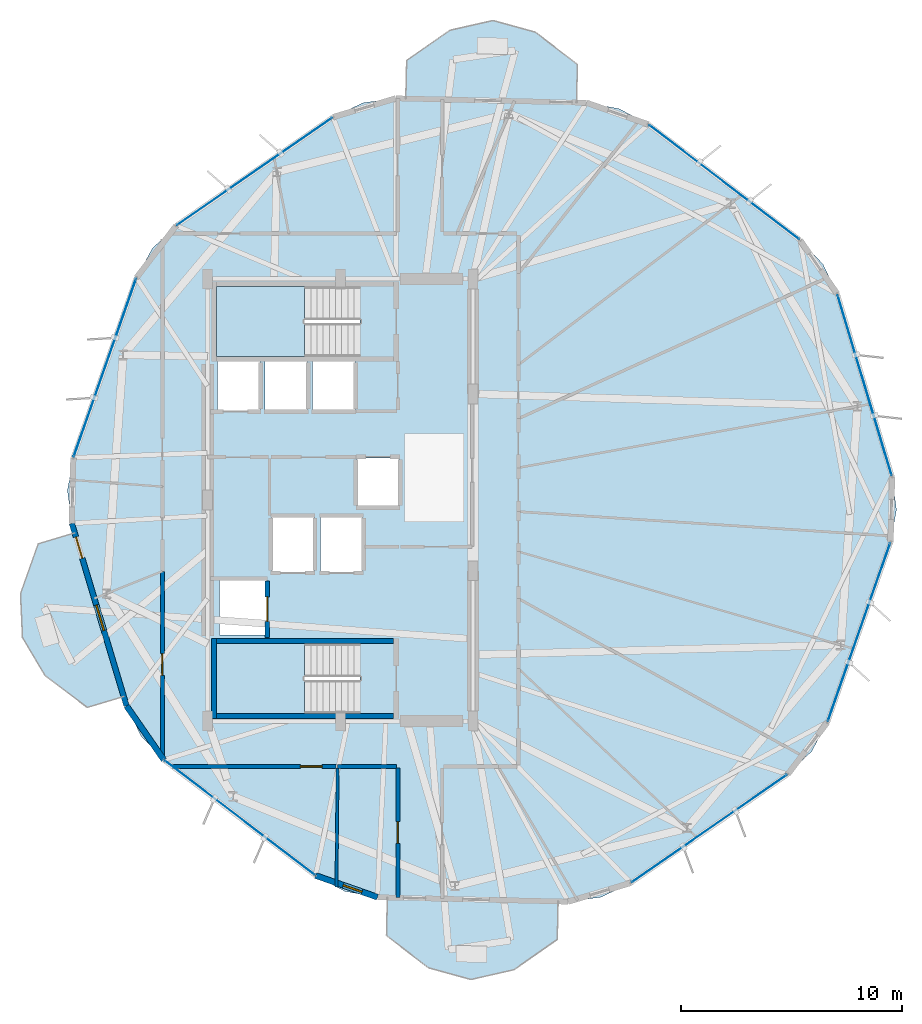
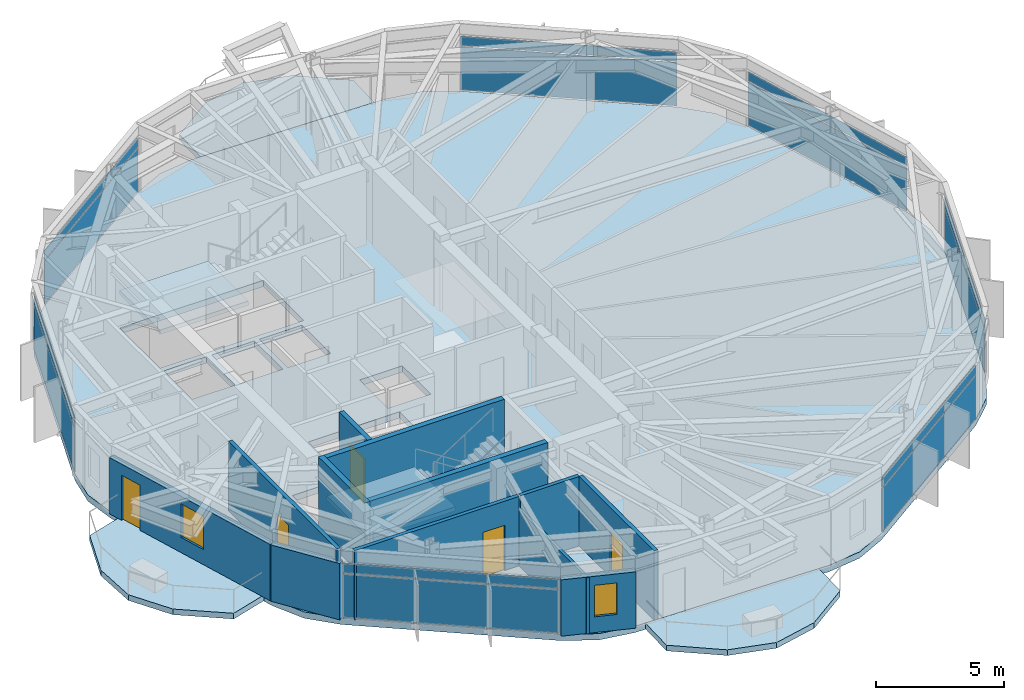
# One storey, part 15 of 22: 14 plates, 12 walls, 6 slabs, 5 doors, 2 windows, 7 openings, 9 elements without a shape of their own.
"""IFC4 building model written with IfcOpenShell, lengths in metres."""

from ifc_helpers import new_model, si_unit, direction, frame, frame_2d, origin, origin_2d, place, context, subcontext, project, spatial, polyline, rectangle, outline, extrude, material, layer, layer_set, type_object, element, fill, aggregate, save


model = new_model("IFC4")

# Units and contexts
model_context = context("Model", 3, precision=1e-05, world=origin(), true_north=direction((0.0, 1.0)))
body_context = subcontext(model_context, "Body", "Model", "MODEL_VIEW")
ifc_project = project(units=[si_unit("LENGTHUNIT", "METRE"), si_unit("AREAUNIT", "SQUARE_METRE"), si_unit("VOLUMEUNIT", "CUBIC_METRE"), si_unit("PLANEANGLEUNIT", "RADIAN"), si_unit("MASSUNIT", "GRAM", prefix="KILO")], contexts=[model_context])

# Site, building, storey
site_placement = place(None, origin())
site = spatial("IfcSite", under=ifc_project, at=site_placement, CompositionType="ELEMENT")
building_placement = place(site_placement, origin())
building = spatial("IfcBuilding", under=site, at=building_placement, Name="Soratama Intermodal Tower", CompositionType="ELEMENT")
storey_placement = place(building_placement, frame((0.0, 0.0, 160.60009765625)))
storey = spatial("IfcBuildingStorey", under=building, at=storey_placement, Name="L39", CompositionType="ELEMENT", Elevation=160.60009765625)

# Curtain wall, plates
ifc_material_1 = material(Name="Double-glazed aluminium curtain wall", Category="aluminium")
ifc_layer_1 = layer(ifc_material_1, 0.159912109375)
ifc_layer_set_1 = layer_set([ifc_layer_1], Name="Double-glazed aluminium curtain wall")
curtain_wall_type = type_object("IfcCurtainWallType", Name="CW-SYS-4", PredefinedType="NOTDEFINED", material=ifc_layer_set_1)
curtain_wall_1_placement = place(storey_placement, origin())
curtain_wall_1 = element("IfcCurtainWall", 1, at=curtain_wall_1_placement, inside=storey, type_object=curtain_wall_type, Name="L39 Faceted Curtain Wall F01", PredefinedType="NOTDEFINED")
ifc_material_2 = material(Name="Low-E laminated double glazing", Category="glass")
ifc_layer_2 = layer(ifc_material_2, 0.02392578125)
ifc_layer_set_2 = layer_set([ifc_layer_2], Name="Low-E laminated double glazing")
plate_type = type_object("IfcPlateType", Name="PT-CWP-4", PredefinedType="CURTAIN_PANEL", material=ifc_layer_set_2)
plate_1_placement = place(storey_placement, frame((55.95361328125, 39.3681640625, 0.059814453125), z_axis=(0.0, 0.0, 1.0), x_axis=(-0.795259686379, 0.606268942979, 0.0)))
plate_1 = element("IfcPlate", 2, at=plate_1_placement, type_object=plate_type, Name="CW-4 panel 1.1", PredefinedType="CURTAIN_PANEL", context=body_context, shape_type="SweptSolid", body=[
    extrude(rectangle(XDim=8.50146484375, YDim=0.028076171875, at=origin_2d()), origin(), (0.0, 0.0, 1.0), 2.06005859375),
])
plate_2_placement = place(storey_placement, frame((55.95361328125, 39.3681640625, 2.179931640625), z_axis=(0.0, 0.0, 1.0), x_axis=(-0.795259686379, 0.606268942979, 0.0)))
plate_2 = element("IfcPlate", 3, at=plate_2_placement, type_object=plate_type, Name="CW-4 panel 1.2", PredefinedType="CURTAIN_PANEL", context=body_context, shape_type="SweptSolid", body=[
    extrude(rectangle(XDim=8.50146484375, YDim=0.028076171875, at=origin_2d()), origin(), (0.0, 0.0, 1.0), 0.43896484375),
])
aggregate(curtain_wall_1, [plate_1, plate_2])

curtain_wall_2_placement = place(storey_placement, origin())
curtain_wall_2 = element("IfcCurtainWall", 4, at=curtain_wall_2_placement, inside=storey, type_object=curtain_wall_type, Name="L39 Faceted Curtain Wall F03", PredefinedType="NOTDEFINED")
plate_3_placement = place(storey_placement, frame((34.719970703125, 39.857421875, 0.059814453125), z_axis=(0.0, 0.0, 1.0), x_axis=(-0.822343735689, -0.568991019589, 0.0)))
plate_3 = element("IfcPlate", 5, at=plate_3_placement, type_object=plate_type, Name="CW-4 panel 1.1", PredefinedType="CURTAIN_PANEL", context=body_context, shape_type="SweptSolid", body=[
    extrude(rectangle(XDim=8.50146484375, YDim=0.028076171875, at=origin_2d()), origin(), (0.0, 0.0, 1.0), 2.06005859375),
])
plate_4_placement = place(storey_placement, frame((34.719970703125, 39.857421875, 2.179931640625), z_axis=(0.0, 0.0, 1.0), x_axis=(-0.822343735689, -0.568991019589, 0.0)))
plate_4 = element("IfcPlate", 6, at=plate_4_placement, type_object=plate_type, Name="CW-4 panel 1.2", PredefinedType="CURTAIN_PANEL", context=body_context, shape_type="SweptSolid", body=[
    extrude(rectangle(XDim=8.50146484375, YDim=0.028076171875, at=origin_2d()), origin(), (0.0, 0.0, 1.0), 0.43896484375),
])
aggregate(curtain_wall_2, [plate_3, plate_4])

curtain_wall_3_placement = place(storey_placement, origin())
curtain_wall_3 = element("IfcCurtainWall", 7, at=curtain_wall_3_placement, inside=storey, type_object=curtain_wall_type, Name="L39 Faceted Curtain Wall F04", PredefinedType="NOTDEFINED")
plate_5_placement = place(storey_placement, frame((27.9501953125, 30.977294921875, 0.059814453125), z_axis=(0.0, 0.0, 1.0), x_axis=(-0.330846366721, -0.943684630386, 0.0)))
plate_5 = element("IfcPlate", 8, at=plate_5_placement, type_object=plate_type, Name="CW-4 panel 1.1", PredefinedType="CURTAIN_PANEL", context=body_context, shape_type="SweptSolid", body=[
    extrude(rectangle(XDim=8.50146484375, YDim=0.028076171875, at=origin_2d()), origin(), (0.0, 0.0, 1.0), 2.06005859375),
])
plate_6_placement = place(storey_placement, frame((27.9501953125, 30.977294921875, 2.179931640625), z_axis=(0.0, 0.0, 1.0), x_axis=(-0.330846366721, -0.943684630386, 0.0)))
plate_6 = element("IfcPlate", 9, at=plate_6_placement, type_object=plate_type, Name="CW-4 panel 1.2", PredefinedType="CURTAIN_PANEL", context=body_context, shape_type="SweptSolid", body=[
    extrude(rectangle(XDim=8.50146484375, YDim=0.028076171875, at=origin_2d()), origin(), (0.0, 0.0, 1.0), 0.43896484375),
])
aggregate(curtain_wall_3, [plate_5, plate_6])

curtain_wall_4_placement = place(storey_placement, origin())
curtain_wall_4 = element("IfcCurtainWall", 10, at=curtain_wall_4_placement, inside=storey, type_object=curtain_wall_type, Name="L39 Faceted Curtain Wall F06", PredefinedType="NOTDEFINED")
plate_7_placement = place(storey_placement, frame((34.04638671875, 10.6318359375, 0.059814453125), z_axis=(0.0, 0.0, 1.0), x_axis=(0.795259686379, -0.606268942979, 0.0)))
plate_7 = element("IfcPlate", 11, at=plate_7_placement, type_object=plate_type, Name="CW-4 panel 1.1", PredefinedType="CURTAIN_PANEL", context=body_context, shape_type="SweptSolid", body=[
    extrude(rectangle(XDim=8.50146484375, YDim=0.028076171875, at=origin_2d()), origin(), (0.0, 0.0, 1.0), 2.06005859375),
])
plate_8_placement = place(storey_placement, frame((34.04638671875, 10.6318359375, 2.179931640625), z_axis=(0.0, 0.0, 1.0), x_axis=(0.795259686379, -0.606268942979, 0.0)))
plate_8 = element("IfcPlate", 12, at=plate_8_placement, type_object=plate_type, Name="CW-4 panel 1.2", PredefinedType="CURTAIN_PANEL", context=body_context, shape_type="SweptSolid", body=[
    extrude(rectangle(XDim=8.50146484375, YDim=0.028076171875, at=origin_2d()), origin(), (0.0, 0.0, 1.0), 0.43896484375),
])
aggregate(curtain_wall_4, [plate_7, plate_8])

curtain_wall_5_placement = place(storey_placement, origin())
curtain_wall_5 = element("IfcCurtainWall", 13, at=curtain_wall_5_placement, inside=storey, type_object=curtain_wall_type, Name="L39 Faceted Curtain Wall F08", PredefinedType="NOTDEFINED")
plate_9_placement = place(storey_placement, frame((55.280029296875, 10.142578125, 0.059814453125), z_axis=(0.0, 0.0, 1.0), x_axis=(0.822343735689, 0.568991019589, 0.0)))
plate_9 = element("IfcPlate", 14, at=plate_9_placement, type_object=plate_type, Name="CW-4 panel 1.1", PredefinedType="CURTAIN_PANEL", context=body_context, shape_type="SweptSolid", body=[
    extrude(rectangle(XDim=8.50146484375, YDim=0.028076171875, at=origin_2d()), origin(), (0.0, 0.0, 1.0), 2.06005859375),
])
plate_10_placement = place(storey_placement, frame((55.280029296875, 10.142578125, 2.179931640625), z_axis=(0.0, 0.0, 1.0), x_axis=(0.822343735689, 0.568991019589, 0.0)))
plate_10 = element("IfcPlate", 15, at=plate_10_placement, type_object=plate_type, Name="CW-4 panel 1.2", PredefinedType="CURTAIN_PANEL", context=body_context, shape_type="SweptSolid", body=[
    extrude(rectangle(XDim=8.50146484375, YDim=0.028076171875, at=origin_2d()), origin(), (0.0, 0.0, 1.0), 0.43896484375),
])
aggregate(curtain_wall_5, [plate_9, plate_10])

curtain_wall_6_placement = place(storey_placement, origin())
curtain_wall_6 = element("IfcCurtainWall", 16, at=curtain_wall_6_placement, inside=storey, type_object=curtain_wall_type, Name="L39 Faceted Curtain Wall F09", PredefinedType="NOTDEFINED")
plate_11_placement = place(storey_placement, frame((62.0498046875, 19.022705078125, 0.059814453125), z_axis=(0.0, 0.0, 1.0), x_axis=(0.330846366721, 0.943684630386, 0.0)))
plate_11 = element("IfcPlate", 17, at=plate_11_placement, type_object=plate_type, Name="CW-4 panel 1.1", PredefinedType="CURTAIN_PANEL", context=body_context, shape_type="SweptSolid", body=[
    extrude(rectangle(XDim=8.50146484375, YDim=0.028076171875, at=origin_2d()), origin(), (0.0, 0.0, 1.0), 2.06005859375),
])
plate_12_placement = place(storey_placement, frame((62.0498046875, 19.022705078125, 2.179931640625), z_axis=(0.0, 0.0, 1.0), x_axis=(0.330846366721, 0.943684630386, 0.0)))
plate_12 = element("IfcPlate", 18, at=plate_12_placement, type_object=plate_type, Name="CW-4 panel 1.2", PredefinedType="CURTAIN_PANEL", context=body_context, shape_type="SweptSolid", body=[
    extrude(rectangle(XDim=8.50146484375, YDim=0.028076171875, at=origin_2d()), origin(), (0.0, 0.0, 1.0), 0.43896484375),
])
aggregate(curtain_wall_6, [plate_11, plate_12])

curtain_wall_7_placement = place(storey_placement, origin())
curtain_wall_7 = element("IfcCurtainWall", 19, at=curtain_wall_7_placement, inside=storey, type_object=curtain_wall_type, Name="L39 Faceted Curtain Wall F10", PredefinedType="NOTDEFINED")
plate_13_placement = place(storey_placement, frame((62.306884765625, 30.185791015625, 0.059814453125), z_axis=(0.0, 0.0, 1.0), x_axis=(-0.287027568278, 0.957922322033, 0.0)))
plate_13 = element("IfcPlate", 20, at=plate_13_placement, type_object=plate_type, Name="CW-4 panel 1.1", PredefinedType="CURTAIN_PANEL", context=body_context, shape_type="SweptSolid", body=[
    extrude(rectangle(XDim=8.50146484375, YDim=0.028076171875, at=origin_2d()), origin(), (0.0, 0.0, 1.0), 2.06005859375),
])
plate_14_placement = place(storey_placement, frame((62.306884765625, 30.185791015625, 2.179931640625), z_axis=(0.0, 0.0, 1.0), x_axis=(-0.287027568278, 0.957922322033, 0.0)))
plate_14 = element("IfcPlate", 21, at=plate_14_placement, type_object=plate_type, Name="CW-4 panel 1.2", PredefinedType="CURTAIN_PANEL", context=body_context, shape_type="SweptSolid", body=[
    extrude(rectangle(XDim=8.50146484375, YDim=0.028076171875, at=origin_2d()), origin(), (0.0, 0.0, 1.0), 0.43896484375),
])
aggregate(curtain_wall_7, [plate_13, plate_14])

# Slabs
ifc_material_3 = material(Name="Concrete f'c 42 MPa", Category="concrete")
ifc_layer_3 = layer(ifc_material_3, 0.27001953125)
ifc_layer_set_3 = layer_set([ifc_layer_3], Name="Concrete f'c 42 MPa")
slab_type_1 = type_object("IfcSlabType", Name="SL-EXT-BAL1", PredefinedType="FLOOR", material=ifc_layer_set_3)
slab_1_placement = place(storey_placement, frame((0.0, 0.0, -0.27001953125)))
element("IfcSlab", 22, at=slab_1_placement, inside=storey, type_object=slab_type_1, Name="L39 Planted Balcony North 1", PredefinedType="FLOOR", context=body_context, shape_type="SweptSolid", body=[
    extrude(outline(polyline([(49.27587890625, 42.973388671875), (41.556396484375, 43.151123046875), (41.59619140625, 44.870849609375), (43.55859375, 46.2412109375), (45.49951171875, 46.681396484375), (47.418212890625, 46.152099609375), (49.3154296875, 44.69287109375), (49.27587890625, 42.973388671875)])), origin(), (0.0, 0.0, 1.0), 0.27001953125),
])
slab_2_placement = place(storey_placement, frame((0.0, 0.0, -0.27001953125)))
element("IfcSlab", 23, at=slab_2_placement, inside=storey, type_object=slab_type_1, Name="L39 Planted Balcony West 2", PredefinedType="FLOOR", context=body_context, shape_type="SweptSolid", body=[
    extrude(outline(polyline([(26.5849609375, 23.512451171875), (28.80126953125, 16.115966796875), (27.153564453125, 15.622314453125), (25.243896484375, 17.065185546875), (24.225341796875, 18.775146484375), (24.1357421875, 20.763427734375), (24.937255859375, 23.018798828125), (26.5849609375, 23.512451171875)])), origin(), (0.0, 0.0, 1.0), 0.27001953125),
])
slab_3_placement = place(storey_placement, frame((0.0, 0.0, -0.27001953125)))
element("IfcSlab", 24, at=slab_3_placement, inside=storey, type_object=slab_type_1, Name="L39 Planted Balcony South 3", PredefinedType="FLOOR", context=body_context, shape_type="SweptSolid", body=[
    extrude(outline(polyline([(40.72412109375, 7.026611328125), (48.443603515625, 6.848876953125), (48.40380859375, 5.129150390625), (46.44140625, 3.7587890625), (44.50048828125, 3.318603515625), (42.581787109375, 3.847900390625), (40.6845703125, 5.30712890625), (40.72412109375, 7.026611328125)])), origin(), (0.0, 0.0, 1.0), 0.27001953125),
])

# Stair, slab
ifc_material_4 = material(Name="Concrete f'c 42 MPa", Category="concrete")
stair_type = type_object("IfcStairType", Name="ST-CORE-DOGLEG", PredefinedType="HALF_TURN_STAIR", material=ifc_material_4)
stair_1_placement = place(storey_placement, origin())
stair_1 = element("IfcStair", 25, at=stair_1_placement, inside=storey, type_object=stair_type, Name="L39 ST-1", PredefinedType="HALF_TURN_STAIR")
ifc_material_5 = material(Name="Concrete f'c 42 MPa", Category="concrete")
ifc_layer_4 = layer(ifc_material_5, 0.219970703125)
ifc_layer_set_4 = layer_set([ifc_layer_4], Name="Concrete f'c 42 MPa")
slab_type_2 = type_object("IfcSlabType", Name="SL-STAIR-LAND", PredefinedType="LANDING", material=ifc_layer_set_4)
slab_4_placement = place(storey_placement, frame((0.0, 0.0, 1.599853515625)))
slab_4 = element("IfcSlab", 26, at=slab_4_placement, type_object=slab_type_2, Name="ST-1 landing 1", PredefinedType="LANDING", context=body_context, shape_type="SweptSolid", body=[
    extrude(outline(polyline([(36.97998046875, 18.5), (33.0, 18.5), (33.0, 15.35009765625), (36.97998046875, 15.35009765625), (36.97998046875, 18.5)])), origin(), (0.0, 0.0, 1.0), 0.199951171875),
])
aggregate(stair_1, [slab_4])

stair_2_placement = place(storey_placement, origin())
stair_2 = element("IfcStair", 27, at=stair_2_placement, inside=storey, type_object=stair_type, Name="L39 ST-2", PredefinedType="HALF_TURN_STAIR")
slab_5_placement = place(storey_placement, frame((0.0, 0.0, 1.599853515625)))
slab_5 = element("IfcSlab", 28, at=slab_5_placement, type_object=slab_type_2, Name="ST-2 landing 1", PredefinedType="LANDING", context=body_context, shape_type="SweptSolid", body=[
    extrude(outline(polyline([(36.97998046875, 34.64990234375), (33.0, 34.64990234375), (33.0, 31.5), (36.97998046875, 31.5), (36.97998046875, 34.64990234375)])), origin(), (0.0, 0.0, 1.0), 0.199951171875),
])
aggregate(stair_2, [slab_5])

# Slab
ifc_material_6 = material(Name="Concrete f'c 42 MPa", Category="concrete")
ifc_layer_5 = layer(ifc_material_6, 0.280029296875)
ifc_layer_set_5 = layer_set([ifc_layer_5], Name="Concrete f'c 42 MPa")
slab_type_3 = type_object("IfcSlabType", Name="SL-TWR-280", PredefinedType="FLOOR", material=ifc_layer_set_5)
slab_6_placement = place(storey_placement, frame((0.0, 0.0, -0.300048828125)))
element("IfcSlab", 29, at=slab_6_placement, inside=storey, type_object=slab_type_3, Name="L39 Structural Floor Slab", PredefinedType="FLOOR", context=body_context, shape_type="SweptSolid", body=[
    extrude(outline(polyline([(61.069580078125, 34.315185546875), (60.418701171875, 35.66845703125), (59.381591796875, 36.754638671875), (52.525390625, 41.981689453125), (51.203369140625, 42.694091796875), (49.725830078125, 42.962890625), (41.106689453125, 43.16162109375), (39.618408203125, 42.9609375), (38.264892578125, 42.310302734375), (31.175048828125, 37.404541015625), (30.0888671875, 36.367431640625), (29.37646484375, 35.04541015625), (26.524169921875, 26.909423828125), (26.255126953125, 25.431884765625), (26.455810546875, 23.943603515625), (28.930419921875, 15.684814453125), (29.581298828125, 14.33154296875), (30.618408203125, 13.245361328125), (37.474609375, 8.018310546875), (38.796630859375, 7.305908203125), (40.274169921875, 7.037109375), (48.893310546875, 6.83837890625), (50.381591796875, 7.0390625), (51.735107421875, 7.689697265625), (58.824951171875, 12.595458984375), (59.9111328125, 13.632568359375), (60.62353515625, 14.95458984375), (63.475830078125, 23.090576171875), (63.744873046875, 24.568115234375), (63.544189453125, 26.056396484375), (61.069580078125, 34.315185546875)]), holes=[polyline([(33.0, 18.5), (33.0, 15.35009765625), (39.47509765625, 15.35009765625), (39.47509765625, 18.5), (33.0, 18.5)]), polyline([(35.260009765625, 21.409912109375), (33.139892578125, 21.409912109375), (33.139892578125, 18.889892578125), (35.260009765625, 18.889892578125), (35.260009765625, 21.409912109375)]), polyline([(37.409912109375, 24.260009765625), (35.489990234375, 24.260009765625), (35.489990234375, 21.739990234375), (37.409912109375, 21.739990234375), (37.409912109375, 24.260009765625)]), polyline([(39.610107421875, 24.260009765625), (37.68994140625, 24.260009765625), (37.68994140625, 21.739990234375), (39.610107421875, 21.739990234375), (39.610107421875, 24.260009765625)]), polyline([(41.260009765625, 26.909912109375), (39.340087890625, 26.909912109375), (39.340087890625, 24.68994140625), (41.260009765625, 24.68994140625), (41.260009765625, 26.909912109375)]), polyline([(34.9599609375, 31.260009765625), (33.0400390625, 31.260009765625), (33.0400390625, 29.0400390625), (34.9599609375, 29.0400390625), (34.9599609375, 31.260009765625)]), polyline([(37.110107421875, 31.260009765625), (35.18994140625, 31.260009765625), (35.18994140625, 29.0400390625), (37.110107421875, 29.0400390625), (37.110107421875, 31.260009765625)]), polyline([(39.260009765625, 29.0400390625), (39.260009765625, 31.260009765625), (37.340087890625, 31.260009765625), (37.340087890625, 29.0400390625), (39.260009765625, 29.0400390625)]), polyline([(39.47509765625, 34.64990234375), (33.0, 34.64990234375), (33.0, 31.5), (39.47509765625, 31.5), (39.47509765625, 34.64990234375)])]), origin(), (0.0, 0.0, 1.0), 0.300048828125),
])

# Wall, openings, door, window
ifc_material_7 = material(Name="Concrete f'c 42 MPa", Category="concrete")
ifc_layer_6 = layer(ifc_material_7, 0.25)
ifc_layer_set_6 = layer_set([ifc_layer_6], Name="Concrete f'c 42 MPa")
wall_type_1 = type_object("IfcWallType", Name="EW-BAL-250", PredefinedType="SOLIDWALL", material=ifc_layer_set_6)
wall_1_placement = place(storey_placement, frame((26.455810546875, 23.943603515625, 0.0), z_axis=(0.0, 0.0, 1.0), x_axis=(0.287025725788, -0.957922874106, 0.0)))
wall_1 = element("IfcWall", 30, at=wall_1_placement, inside=storey, type_object=wall_type_1, Name="L39 Terrace Wall F05", PredefinedType="SOLIDWALL", context=body_context, shape_type="SweptSolid", body=[
    extrude(rectangle(XDim=8.62158203125, YDim=0.25, at=frame_2d((4.310791015625, 0.0))), origin(), (0.0, 0.0, 1.0), 2.678955078125),
])
opening_1_placement = place(wall_1_placement, frame((0.64990234375, 0.0, 0.0)))
opening_1 = element("IfcOpeningElement", 31, at=opening_1_placement, cuts=wall_1, Name="Opening ED-2", PredefinedType="OPENING", context=body_context, shape_type="SweptSolid", body=[
    extrude(rectangle(XDim=1.0, YDim=2.14990234375, at=frame_2d((0.5, 1.074951171875))), frame((0.0, 0.135009765625, 0.0), z_axis=(0.0, -1.0, 0.0), x_axis=(1.0, 0.0, 0.0)), (0.0, 0.0, 1.0), 0.27001953125),
])
opening_2_placement = place(wall_1_placement, frame((3.853759765625, 0.0, 0.719970703125)))
opening_2 = element("IfcOpeningElement", 32, at=opening_2_placement, cuts=wall_1, Name="Opening WN-2", PredefinedType="OPENING", context=body_context, shape_type="SweptSolid", body=[
    extrude(rectangle(XDim=1.199951171875, YDim=1.60009765625, at=frame_2d((0.60009765625, 0.800048828125))), frame((0.0, 0.135009765625, 0.0), z_axis=(0.0, -1.0, 0.0), x_axis=(1.0, 0.0, 0.0)), (0.0, 0.0, 1.0), 0.27001953125),
])
ifc_material_8 = material(Name="Double-glazed aluminium door", Category="aluminium")
door_type_1 = type_object("IfcDoorType", Name="DR-BAL-1000", OperationType="NOTDEFINED", PredefinedType="DOOR", material=ifc_material_8)
door_1_placement = place(opening_1_placement, origin())
door_1 = element("IfcDoor", 33, at=door_1_placement, inside=storey, type_object=door_type_1, Name="L39 Balcony Door F05", OperationType="SINGLE_SWING_LEFT", OverallHeight=2.14990234375, OverallWidth=1.0, PredefinedType="DOOR", context=body_context, shape_type="SweptSolid", body=[
    extrude(rectangle(XDim=1.0, YDim=2.14990234375, at=frame_2d((0.5, 1.074951171875))), frame((0.0, 0.02490234375, 0.0), z_axis=(0.0, -1.0, 0.0), x_axis=(1.0, 0.0, 0.0)), (0.0, 0.0, 1.0), 0.050048828125),
])
fill(opening_1, door_1)
ifc_material_9 = material(Name="Double-glazed aluminium window", Category="aluminium")
window_type_1 = type_object("IfcWindowType", Name="WN-FAC-1200", PartitioningType="SINGLE_PANEL", PredefinedType="WINDOW", material=ifc_material_9)
window_1_placement = place(opening_2_placement, origin())
window_1 = element("IfcWindow", 34, at=window_1_placement, inside=storey, type_object=window_type_1, Name="L39 Window B F05", OverallHeight=1.60009765625, OverallWidth=1.199951171875, PartitioningType="SINGLE_PANEL", PredefinedType="WINDOW", context=body_context, shape_type="SweptSolid", body=[
    extrude(rectangle(XDim=1.199951171875, YDim=1.60009765625, at=frame_2d((0.60009765625, 0.800048828125))), frame((0.0, 0.030029296875, 0.0), z_axis=(0.0, -1.0, 0.0), x_axis=(1.0, 0.0, 0.0)), (0.0, 0.0, 1.0), 0.06005859375),
])
fill(opening_2, window_1)

# Wall
ifc_material_10 = material(Name="Concrete f'c 42 MPa", Category="concrete")
ifc_layer_7 = layer(ifc_material_10, 0.27001953125)
ifc_layer_set_7 = layer_set([ifc_layer_7], Name="Concrete f'c 42 MPa")
wall_type_2 = type_object("IfcWallType", Name="EW-CRN-270", PredefinedType="SOLIDWALL", material=ifc_layer_set_7)
wall_2_placement = place(storey_placement, frame((28.930419921875, 15.684814453125, 0.0), z_axis=(0.0, 0.0, 1.0), x_axis=(0.569013104062, -0.822328454698, 0.0)))
element("IfcWall", 35, at=wall_2_placement, inside=storey, type_object=wall_type_2, Name="L39 Corner Closure Wall 05", PredefinedType="SOLIDWALL", context=body_context, shape_type="SweptSolid", body=[
    extrude(rectangle(XDim=2.966552734375, YDim=0.27001953125, at=frame_2d((1.4833984375, 0.0))), origin(), (0.0, 0.0, 1.0), 2.678955078125),
])

# Wall, opening, window
wall_3_placement = place(storey_placement, frame((37.474609375, 8.018310546875, 0.0), z_axis=(0.0, 0.0, 1.0), x_axis=(0.94371585025, -0.330757303755, 0.0)))
wall_3 = element("IfcWall", 36, at=wall_3_placement, inside=storey, type_object=wall_type_2, Name="L39 Corner Closure Wall 06", PredefinedType="SOLIDWALL", context=body_context, shape_type="SweptSolid", body=[
    extrude(rectangle(XDim=2.966552734375, YDim=0.27001953125, at=frame_2d((1.4833984375, 0.0))), origin(), (0.0, 0.0, 1.0), 2.678955078125),
])
opening_3_placement = place(wall_3_placement, frame((1.324951171875, 0.0, 0.75)))
opening_3 = element("IfcOpeningElement", 37, at=opening_3_placement, cuts=wall_3, Name="Opening WN-6", PredefinedType="OPENING", context=body_context, shape_type="SweptSolid", body=[
    extrude(rectangle(XDim=0.89990234375, YDim=1.5, at=frame_2d((0.449951171875, 0.75))), frame((0.0, 0.14501953125, 0.0), z_axis=(0.0, -1.0, 0.0), x_axis=(1.0, 0.0, 0.0)), (0.0, 0.0, 1.0), 0.2900390625),
])
ifc_material_11 = material(Name="Double-glazed aluminium window", Category="aluminium")
window_type_2 = type_object("IfcWindowType", Name="WN-FAC-900", PartitioningType="SINGLE_PANEL", PredefinedType="WINDOW", material=ifc_material_11)
window_2_placement = place(opening_3_placement, origin())
window_2 = element("IfcWindow", 38, at=window_2_placement, inside=storey, type_object=window_type_2, Name="L39 Corner Window 06", OverallHeight=1.5, OverallWidth=0.89990234375, PartitioningType="SINGLE_PANEL", PredefinedType="WINDOW", context=body_context, shape_type="SweptSolid", body=[
    extrude(rectangle(XDim=0.89990234375, YDim=1.5, at=frame_2d((0.449951171875, 0.75))), frame((0.0, 0.030029296875, 0.0), z_axis=(0.0, -1.0, 0.0), x_axis=(1.0, 0.0, 0.0)), (0.0, 0.0, 1.0), 0.06005859375),
])
fill(opening_3, window_2)

# Wall, opening, door
ifc_material_12 = material(Name="Fire-rated gypsum stud partition", Category="concrete")
ifc_layer_8 = layer(ifc_material_12, 0.169921875)
ifc_layer_set_8 = layer_set([ifc_layer_8], Name="Fire-rated gypsum stud partition")
wall_type_3 = type_object("IfcWallType", Name="IW-PART-R170", PredefinedType="PARTITIONING", material=ifc_layer_set_8)
wall_4_placement = place(storey_placement, frame((30.550048828125, 13.31689453125, 0.0), z_axis=(0.0, 0.0, 1.0), x_axis=(0.0, 1.0, 0.0)))
wall_4 = element("IfcWall", 39, at=wall_4_placement, inside=storey, type_object=wall_type_3, Name="L39 Partition W-L39-TP010", PredefinedType="PARTITIONING", context=body_context, shape_type="SweptSolid", body=[
    extrude(rectangle(XDim=8.461181640625, YDim=0.169921875, at=frame_2d((4.23046875, 0.0))), origin(), (0.0, 0.0, 1.0), 3.2998046875),
])
opening_4_placement = place(wall_4_placement, frame((3.7548828125, 0.0, 0.0)))
opening_4 = element("IfcOpeningElement", 40, at=opening_4_placement, cuts=wall_4, Name="Opening ID-5", PredefinedType="OPENING", context=body_context, shape_type="SweptSolid", body=[
    extrude(rectangle(XDim=0.97998046875, YDim=2.14990234375, at=frame_2d((0.489990234375, 1.074951171875))), frame((0.0, 0.094970703125, 0.0), z_axis=(0.0, -1.0, 0.0), x_axis=(1.0, 0.0, 0.0)), (0.0, 0.0, 1.0), 0.18994140625),
])
ifc_material_13 = material(Name="Solid hardwood acoustic door", Category="wood")
door_type_2 = type_object("IfcDoorType", Name="DR-OFF-980", OperationType="NOTDEFINED", PredefinedType="DOOR", material=ifc_material_13)
door_2_placement = place(opening_4_placement, origin())
door_2 = element("IfcDoor", 41, at=door_2_placement, inside=storey, type_object=door_type_2, Name="L39 Door D-L39-TP002", OperationType="SINGLE_SWING_LEFT", OverallHeight=2.14990234375, OverallWidth=0.97998046875, PredefinedType="DOOR", context=body_context, shape_type="SweptSolid", body=[
    extrude(rectangle(XDim=0.97998046875, YDim=2.14990234375, at=frame_2d((0.489990234375, 1.074951171875))), frame((0.0, 0.02490234375, 0.0), z_axis=(0.0, -1.0, 0.0), x_axis=(1.0, 0.0, 0.0)), (0.0, 0.0, 1.0), 0.050048828125),
])
fill(opening_4, door_2)

wall_5_placement = place(storey_placement, frame((38.405029296875, 12.949951171875, 0.0), z_axis=(0.0, 0.0, 1.0), x_axis=(-1.0, 0.0, 0.0)))
wall_5 = element("IfcWall", 42, at=wall_5_placement, inside=storey, type_object=wall_type_3, Name="L39 Partition W-L39-TP011", PredefinedType="PARTITIONING", context=body_context, shape_type="SweptSolid", body=[
    extrude(rectangle(XDim=7.39892578125, YDim=0.169921875, at=frame_2d((3.699462890625, 0.0))), origin(), (0.0, 0.0, 1.0), 3.2998046875),
])
opening_5_placement = place(wall_5_placement, frame((0.635009765625, 0.0, 0.0)))
opening_5 = element("IfcOpeningElement", 43, at=opening_5_placement, cuts=wall_5, Name="Opening ID-5", PredefinedType="OPENING", context=body_context, shape_type="SweptSolid", body=[
    extrude(rectangle(XDim=0.97998046875, YDim=2.14990234375, at=frame_2d((0.489990234375, 1.074951171875))), frame((0.0, 0.094970703125, 0.0), z_axis=(0.0, -1.0, 0.0), x_axis=(1.0, 0.0, 0.0)), (0.0, 0.0, 1.0), 0.18994140625),
])
door_3_placement = place(opening_5_placement, origin())
door_3 = element("IfcDoor", 44, at=door_3_placement, inside=storey, type_object=door_type_2, Name="L39 Door D-L39-TP003", OperationType="SINGLE_SWING_RIGHT", OverallHeight=2.14990234375, OverallWidth=0.97998046875, PredefinedType="DOOR", context=body_context, shape_type="SweptSolid", body=[
    extrude(rectangle(XDim=0.97998046875, YDim=2.14990234375, at=frame_2d((0.489990234375, 1.074951171875))), frame((0.0, 0.02490234375, 0.0), z_axis=(0.0, -1.0, 0.0), x_axis=(1.0, 0.0, 0.0)), (0.0, 0.0, 1.0), 0.050048828125),
])
fill(opening_5, door_3)

wall_6_placement = place(storey_placement, frame((41.199951171875, 7.01611328125, 0.0), z_axis=(0.0, 0.0, 1.0), x_axis=(0.0, 1.0, 0.0)))
wall_6 = element("IfcWall", 45, at=wall_6_placement, inside=storey, type_object=wall_type_3, Name="L39 Partition W-L39-TP018", PredefinedType="PARTITIONING", context=body_context, shape_type="SweptSolid", body=[
    extrude(rectangle(XDim=5.86376953125, YDim=0.169921875, at=frame_2d((2.931884765625, 0.0))), origin(), (0.0, 0.0, 1.0), 3.2998046875),
])
opening_6_placement = place(wall_6_placement, frame((2.45703125, 0.0, 0.0)))
opening_6 = element("IfcOpeningElement", 46, at=opening_6_placement, cuts=wall_6, Name="Opening ID-5", PredefinedType="OPENING", context=body_context, shape_type="SweptSolid", body=[
    extrude(rectangle(XDim=0.97998046875, YDim=2.14990234375, at=frame_2d((0.489990234375, 1.074951171875))), frame((0.0, 0.094970703125, 0.0), z_axis=(0.0, -1.0, 0.0), x_axis=(1.0, 0.0, 0.0)), (0.0, 0.0, 1.0), 0.18994140625),
])
door_4_placement = place(opening_6_placement, origin())
door_4 = element("IfcDoor", 47, at=door_4_placement, inside=storey, type_object=door_type_2, Name="L39 Door D-L39-TP008", OperationType="SINGLE_SWING_LEFT", OverallHeight=2.14990234375, OverallWidth=0.97998046875, PredefinedType="DOOR", context=body_context, shape_type="SweptSolid", body=[
    extrude(rectangle(XDim=0.97998046875, YDim=2.14990234375, at=frame_2d((0.489990234375, 1.074951171875))), frame((0.0, 0.02490234375, 0.0), z_axis=(0.0, -1.0, 0.0), x_axis=(1.0, 0.0, 0.0)), (0.0, 0.0, 1.0), 0.050048828125),
])
fill(opening_6, door_4)

# Walls
wall_7_placement = place(storey_placement, frame((41.1298828125, 12.949951171875, 0.0), z_axis=(0.0, 0.0, 1.0), x_axis=(-1.0, 0.0, 0.0)))
element("IfcWall", 48, at=wall_7_placement, inside=storey, type_object=wall_type_3, Name="L39 Partition W-L39-TP033", PredefinedType="PARTITIONING", context=body_context, shape_type="SweptSolid", body=[
    extrude(rectangle(XDim=2.65380859375, YDim=0.169921875, at=frame_2d((1.326904296875, 0.0))), origin(), (0.0, 0.0, 1.0), 3.2998046875),
])
ifc_material_14 = material(Name="Fire-rated gypsum stud partition", Category="concrete")
ifc_layer_9 = layer(ifc_material_14, 0.1298828125)
ifc_layer_set_9 = layer_set([ifc_layer_9], Name="Fire-rated gypsum stud partition")
wall_type_4 = type_object("IfcWallType", Name="IW-PART-S130", PredefinedType="PARTITIONING", material=ifc_layer_set_9)
wall_8_placement = place(storey_placement, frame((38.47509765625, 12.87890625, 0.0), z_axis=(0.0, 0.0, 1.0), x_axis=(-0.010274520152, -0.999947215725, 0.0)))
element("IfcWall", 49, at=wall_8_placement, inside=storey, type_object=wall_type_4, Name="L39 Partition W-L39-TP020", PredefinedType="PARTITIONING", context=body_context, shape_type="SweptSolid", body=[
    extrude(rectangle(XDim=5.3701171875, YDim=0.1298828125, at=frame_2d((2.68505859375, 0.0))), origin(), (0.0, 0.0, 1.0), 2.677978515625),
])

# Wall, opening, door
ifc_material_15 = material(Name="Concrete f'c 42 MPa", Category="concrete")
ifc_layer_10 = layer(ifc_material_15, 0.199951171875)
ifc_layer_set_10 = layer_set([ifc_layer_10], Name="Concrete f'c 42 MPa")
wall_type_5 = type_object("IfcWallType", Name="IW-SHAFT-200", PredefinedType="SOLIDWALL", material=ifc_layer_set_10)
wall_9_placement = place(storey_placement, frame((35.300048828125, 18.7900390625, 0.0), z_axis=(0.0, 0.0, 1.0), x_axis=(0.0, 1.0, 0.0)))
wall_9 = element("IfcWall", 50, at=wall_9_placement, inside=storey, type_object=wall_type_5, Name="L39 SVL-1 Hoistway Wall E", PredefinedType="SOLIDWALL", context=body_context, shape_type="SweptSolid", body=[
    extrude(rectangle(XDim=2.550048828125, YDim=0.199951171875, at=frame_2d((1.27490234375, 0.0))), origin(), (0.0, 0.0, 1.0), 3.2998046875),
])
opening_7_placement = place(wall_9_placement, frame((0.72509765625, 0.0, 0.0)))
opening_7 = element("IfcOpeningElement", 51, at=opening_7_placement, cuts=wall_9, Name="Opening LD-1", PredefinedType="OPENING", context=body_context, shape_type="SweptSolid", body=[
    extrude(rectangle(XDim=1.10009765625, YDim=2.14990234375, at=frame_2d((0.550048828125, 1.074951171875))), frame((0.0, 0.10986328125, 0.0), z_axis=(0.0, -1.0, 0.0), x_axis=(1.0, 0.0, 0.0)), (0.0, 0.0, 1.0), 0.219970703125),
])
ifc_material_16 = material(Name="Steel fire door", Category="steel")
door_type_3 = type_object("IfcDoorType", Name="DR-LIFT-SLIDE", OperationType="NOTDEFINED", PredefinedType="DOOR", material=ifc_material_16)
door_5_placement = place(opening_7_placement, origin())
door_5 = element("IfcDoor", 52, at=door_5_placement, inside=storey, type_object=door_type_3, Name="L39 SVL-1 Sliding Landing Door", OperationType="SLIDING_TO_LEFT", OverallHeight=2.14990234375, OverallWidth=1.10009765625, PredefinedType="DOOR", context=body_context, shape_type="SweptSolid", body=[
    extrude(rectangle(XDim=1.10009765625, YDim=2.14990234375, at=frame_2d((0.550048828125, 1.074951171875))), frame((0.0, 0.02490234375, 0.0), z_axis=(0.0, -1.0, 0.0), x_axis=(1.0, 0.0, 0.0)), (0.0, 0.0, 1.0), 0.050048828125),
])
fill(opening_7, door_5)

# Walls
ifc_material_17 = material(Name="Concrete f'c 56 MPa", Category="concrete")
ifc_layer_11 = layer(ifc_material_17, 0.239990234375)
ifc_layer_set_11 = layer_set([ifc_layer_11], Name="Concrete f'c 56 MPa")
wall_type_6 = type_object("IfcWallType", Name="SW-STAIR-240", PredefinedType="SHEAR", material=ifc_layer_set_11)
wall_10_placement = place(storey_placement, frame((32.8798828125, 15.110107421875, 0.0), z_axis=(0.0, 0.0, 1.0), x_axis=(0.0, 1.0, 0.0)))
element("IfcWall", 53, at=wall_10_placement, inside=storey, type_object=wall_type_6, Name="L39 ST-1 Shaft Shear Wall W", PredefinedType="SHEAR", context=body_context, shape_type="SweptSolid", body=[
    extrude(rectangle(XDim=3.6298828125, YDim=0.239990234375, at=frame_2d((1.81494140625, 0.0))), origin(), (0.0, 0.0, 1.0), 3.599853515625),
])
for number, where, z_axis, x_axis, name in (
    (54, (33.0, 15.22998046875, 0.0), (0.0, 0.0, 1.0), (1.0, 0.0, 0.0), "L39 ST-1 Shaft Shear Wall S"),
    (55, (33.0, 18.6201171875, 0.0), (0.0, 0.0, 1.0), (1.0, 0.0, 0.0), "L39 ST-1 Shaft Shear Wall N"),
):
    element("IfcWall", number, at=place(storey_placement, frame(where, z_axis=z_axis, x_axis=x_axis)), inside=storey, type_object=wall_type_6, Name=name, PredefinedType="SHEAR", context=body_context, shape_type="SweptSolid", body=[
        extrude(rectangle(XDim=8.0, YDim=0.239990234375, at=frame_2d((4.0, 0.0))), origin(), (0.0, 0.0, 1.0), 3.599853515625),
    ])

save(model, "model.ifc")
